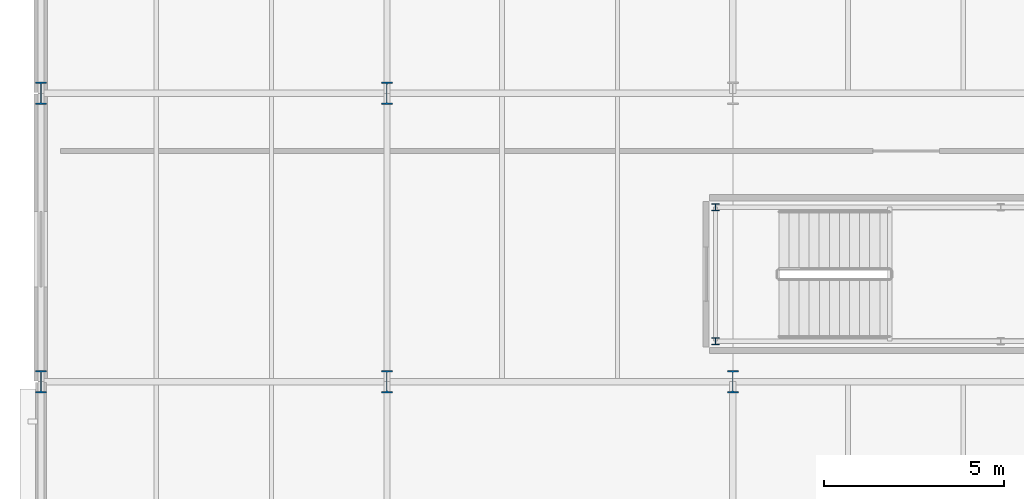
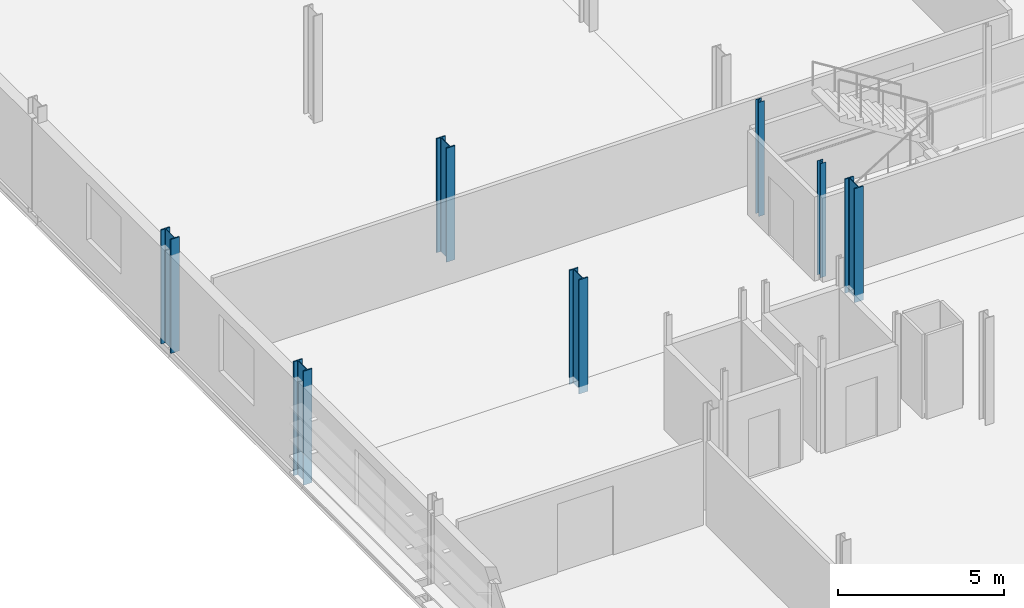
# One storey, part 9 of 85: 7 columns.
"""IFC4 building model written with IfcOpenShell, lengths in metres."""

from ifc_helpers import new_model, si_unit, direction, frame, origin, origin_2d, place, context, subcontext, project, spatial, i_section, extrude, material, material_profile, profile_set, type_object, element, save


model = new_model("IFC4")

# Units and contexts
model_context = context("Model", 3, precision=1e-05, world=origin(), true_north=direction((0.0, 1.0)))
body_context = subcontext(model_context, "Body", "Model", "MODEL_VIEW")
ifc_project = project(units=[si_unit("LENGTHUNIT", "METRE"), si_unit("AREAUNIT", "SQUARE_METRE"), si_unit("VOLUMEUNIT", "CUBIC_METRE"), si_unit("PLANEANGLEUNIT", "RADIAN"), si_unit("MASSUNIT", "GRAM", prefix="KILO")], contexts=[model_context])

# Site, building, storey
site_placement = place(None, origin())
site = spatial("IfcSite", under=ifc_project, at=site_placement, CompositionType="ELEMENT")
building_placement = place(site_placement, origin())
building = spatial("IfcBuilding", under=site, at=building_placement, Name="Alderhovde Museum", CompositionType="ELEMENT")
storey_placement = place(building_placement, frame((0.0, 0.0, 8.699951171875)))
storey = spatial("IfcBuildingStorey", under=building, at=storey_placement, Name="L02", CompositionType="ELEMENT", Elevation=8.699951171875)

# Columns
ifc_material_1 = material(Name="Steel S355J2", Category="steel")
ifc_material_profile_1 = material_profile(ifc_material_1, i_section(OverallWidth=0.199951171875, OverallDepth=0.18994140625, WebThickness=0.006591796875, FlangeThickness=0.010009765625, FilletRadius=0.01806640625, at=origin_2d()), Name="HEA 200")
ifc_profile_set_1 = profile_set([ifc_material_profile_1], Name="Steel S355J2")
column_type_1 = type_object("IfcColumnType", Name="COL-HEA200", PredefinedType="COLUMN", material=ifc_profile_set_1)
for number, where, z_axis, x_axis, name in (
    (1, (28.320068359375, 81.1201171875, 0.0), (0.0, 0.0, 1.0), (1.0, 0.0, 0.0), "L02 Stair ST2 Shaft Column 1"),
    (2, (28.320068359375, 84.840087890625, 0.0), (0.0, 0.0, 1.0), (1.0, 0.0, 0.0), "L02 Stair ST2 Shaft Column 4"),
):
    element("IfcColumn", number, at=place(storey_placement, frame(where, z_axis=z_axis, x_axis=x_axis)), inside=storey, type_object=column_type_1, Name=name, PredefinedType="COLUMN", context=body_context, shape_type="SweptSolid", body=[
        extrude(i_section(OverallWidth=0.199951171875, OverallDepth=0.18994140625, WebThickness=0.006591796875, FlangeThickness=0.010009765625, FilletRadius=0.01806640625, at=origin_2d()), origin(), (0.0, 0.0, 1.0), 4.199951171875),
    ])
ifc_material_2 = material(Name="Steel S355J2", Category="steel")
ifc_material_profile_2 = material_profile(ifc_material_2, i_section(OverallWidth=0.304931640625, OverallDepth=0.6201171875, WebThickness=0.02099609375, FlangeThickness=0.0400390625, FilletRadius=0.027099609375, at=origin_2d()), Name="HEM 600")
ifc_profile_set_2 = profile_set([ifc_material_profile_2], Name="Steel S355J2")
column_type_2 = type_object("IfcColumnType", Name="COL-HEM600", PredefinedType="COLUMN", material=ifc_profile_set_2)
for number, where, z_axis, x_axis, name in (
    (3, (9.60009765625, 80.0, -0.260009765625), (0.0, 0.0, 1.0), (1.0, 0.0, 0.0), "L02 Column (9.6, 80.0)"),
    (4, (9.60009765625, 88.0, -0.260009765625), (0.0, 0.0, 1.0), (1.0, 0.0, 0.0), "L02 Column (9.6, 88.0)"),
    (5, (19.199951171875, 80.0, -0.260009765625), (0.0, 0.0, 1.0), (1.0, 0.0, 0.0), "L02 Column (19.2, 80.0)"),
    (6, (19.199951171875, 88.0, -0.260009765625), (0.0, 0.0, 1.0), (1.0, 0.0, 0.0), "L02 Column (19.2, 88.0)"),
    (7, (28.800048828125, 80.0, -0.260009765625), (0.0, 0.0, 1.0), (1.0, 0.0, 0.0), "L02 Column (28.8, 80.0)"),
):
    element("IfcColumn", number, at=place(storey_placement, frame(where, z_axis=z_axis, x_axis=x_axis)), inside=storey, type_object=column_type_2, Name=name, PredefinedType="COLUMN", context=body_context, shape_type="SweptSolid", body=[
        extrude(i_section(OverallWidth=0.304931640625, OverallDepth=0.6201171875, WebThickness=0.02099609375, FlangeThickness=0.0400390625, FilletRadius=0.027099609375, at=origin_2d()), origin(), (0.0, 0.0, 1.0), 4.199951171875),
    ])

save(model, "model.ifc")
